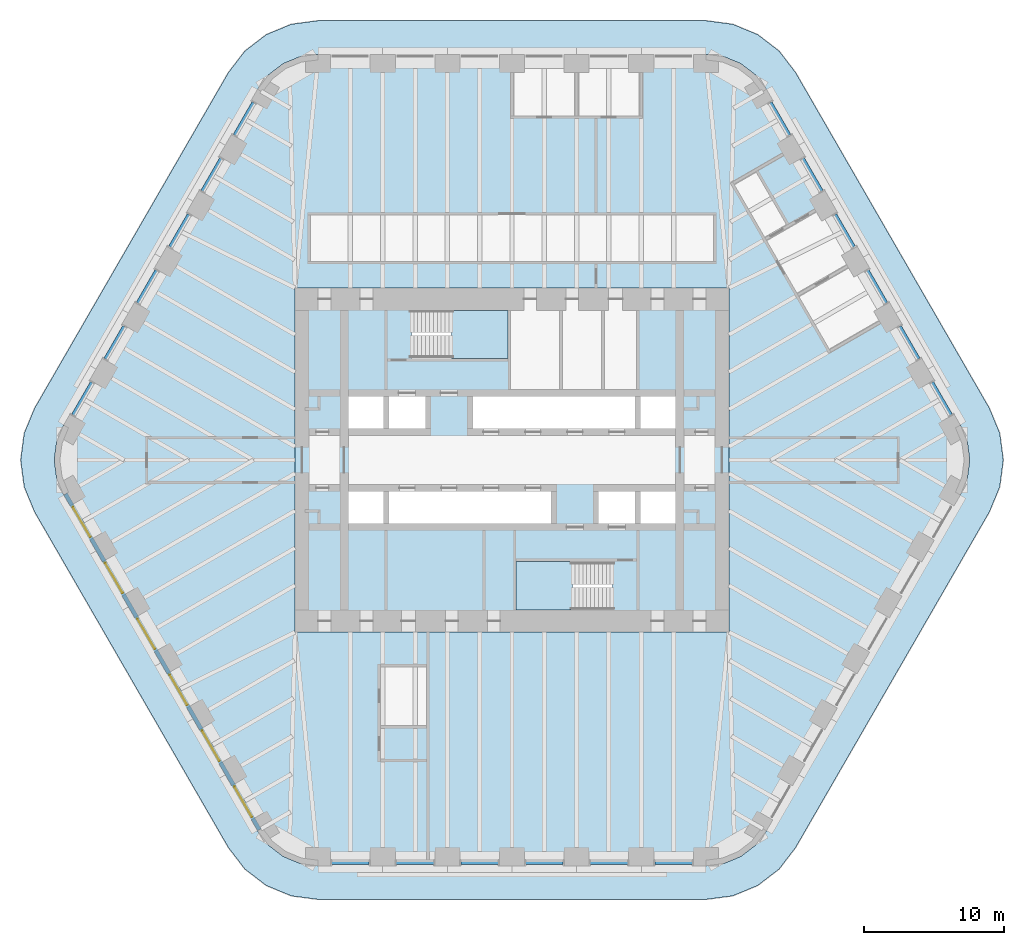
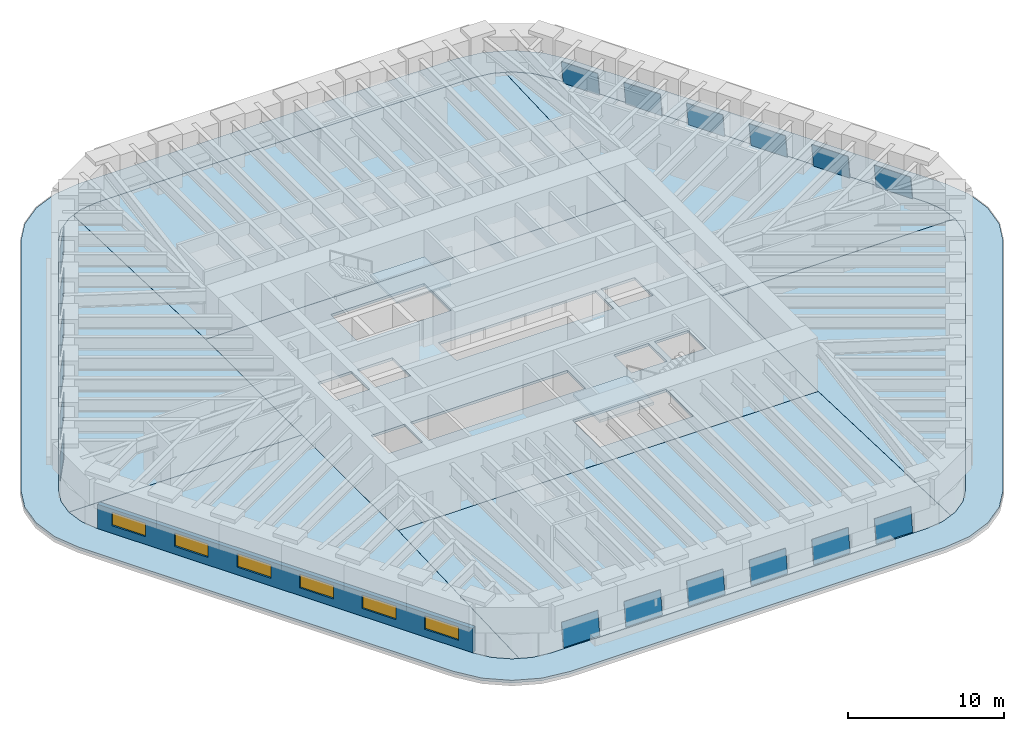
# One storey, part 6 of 12: 18 plates, 10 slabs, 6 windows, 1 wall, 6 openings, 20 elements without a shape of their own.
"""IFC4 building model written with IfcOpenShell, lengths in metres."""

from ifc_helpers import new_model, si_unit, direction, frame, frame_2d, origin, place, context, subcontext, project, spatial, polyline, rectangle, outline, extrude, material, layer, layer_set, type_object, element, fill, aggregate, save


model = new_model("IFC4")

# Units and contexts
model_context = context("Model", 3, precision=1e-05, world=origin(), true_north=direction((0.0, 1.0)))
body_context = subcontext(model_context, "Body", "Model", "MODEL_VIEW")
ifc_project = project(units=[si_unit("LENGTHUNIT", "METRE"), si_unit("AREAUNIT", "SQUARE_METRE"), si_unit("VOLUMEUNIT", "CUBIC_METRE"), si_unit("PLANEANGLEUNIT", "RADIAN"), si_unit("MASSUNIT", "GRAM", prefix="KILO")], contexts=[model_context])

# Site, building, storey
site_placement = place(None, origin())
site = spatial("IfcSite", under=ifc_project, at=site_placement, CompositionType="ELEMENT")
building_placement = place(site_placement, origin())
building = spatial("IfcBuilding", under=site, at=building_placement, Name="Tarfa Lantern Tower", CompositionType="ELEMENT")
storey_placement = place(building_placement, frame((0.0, 0.0, 295.300048828125)))
storey = spatial("IfcBuildingStorey", under=building, at=storey_placement, Name="L67", CompositionType="ELEMENT", Elevation=295.300048828125)

# Slab
ifc_material_1 = material(Name="Concrete C40/50", Category="concrete")
ifc_layer_1 = layer(ifc_material_1, 0.199951171875)
ifc_layer_set_1 = layer_set([ifc_layer_1], Name="BS2 BALCONY SLAB 200")
slab_type_1 = type_object("IfcSlabType", Name="BS2 BALCONY SLAB 200", PredefinedType="FLOOR", material=ifc_layer_set_1)
slab_1_placement = place(storey_placement, frame((0.0, 0.0, -0.199951171875)))
element("IfcSlab", 1, at=slab_1_placement, inside=storey, type_object=slab_type_1, Name="Planted ledge L67", PredefinedType="FLOOR", context=body_context, shape_type="SweptSolid", body=[
    extrude(outline(polyline([(34.121337890625, 3.699951171875), (20.264892578125, 27.699951171875), (19.089111328125, 29.232666015625), (17.556396484375, 30.40869140625), (15.771728515625, 31.14794921875), (13.8564453125, 31.39990234375), (-13.8564453125, 31.39990234375), (-15.771728515625, 31.14794921875), (-17.556396484375, 30.40869140625), (-19.089111328125, 29.232666015625), (-20.264892578125, 27.699951171875), (-34.121337890625, 3.699951171875), (-34.860595703125, 1.915283203125), (-35.11279296875, 0.0), (-34.860595703125, -1.915283203125), (-34.121337890625, -3.699951171875), (-20.264892578125, -27.699951171875), (-19.089111328125, -29.232666015625), (-17.556396484375, -30.40869140625), (-15.771728515625, -31.14794921875), (-13.8564453125, -31.39990234375), (13.8564453125, -31.39990234375), (15.771728515625, -31.14794921875), (17.556396484375, -30.40869140625), (19.089111328125, -29.232666015625), (20.264892578125, -27.699951171875), (34.121337890625, -3.699951171875), (34.860595703125, -1.915283203125), (35.11279296875, 0.0), (34.860595703125, 1.915283203125), (34.121337890625, 3.699951171875)]), holes=[polyline([(32.04296875, 2.5), (18.1865234375, 26.5), (17.391845703125, 27.53564453125), (16.3564453125, 28.330078125), (15.150390625, 28.82958984375), (13.8564453125, 29.0), (-13.8564453125, 29.0), (-15.150390625, 28.82958984375), (-16.3564453125, 28.330078125), (-17.391845703125, 27.53564453125), (-18.1865234375, 26.5), (-32.04296875, 2.5), (-32.54248046875, 1.294189453125), (-32.712890625, 0.0), (-32.54248046875, -1.294189453125), (-32.04296875, -2.5), (-18.1865234375, -26.5), (-17.391845703125, -27.53564453125), (-16.3564453125, -28.330078125), (-15.150390625, -28.82958984375), (-13.8564453125, -29.0), (13.8564453125, -29.0), (15.150390625, -28.82958984375), (16.3564453125, -28.330078125), (17.391845703125, -27.53564453125), (18.1865234375, -26.5), (32.04296875, -2.5), (32.54248046875, -1.294189453125), (32.712890625, 0.0), (32.54248046875, 1.294189453125), (32.04296875, 2.5)])]), origin(), (0.0, 0.0, 1.0), 0.199951171875),
])

# Curtain wall, plate
ifc_material_2 = material(Name="Aluminium framed curtain wall", Category="aluminium")
curtain_wall_type = type_object("IfcCurtainWallType", Name="CW3 CANTED GLAZING HIGH ZONE 1900", PredefinedType="USERDEFINED", material=ifc_material_2)
curtain_wall_1_placement = place(storey_placement, origin())
curtain_wall_1 = element("IfcCurtainWall", 2, at=curtain_wall_1_placement, inside=storey, type_object=curtain_wall_type, Name="CW3 NE L67", ObjectType="CURTAIN WALL", PredefinedType="USERDEFINED")
ifc_material_3 = material(Name="Laminated double glazing", Category="glass")
ifc_layer_2 = layer(ifc_material_3, 0.028076171875)
ifc_layer_set_2 = layer_set([ifc_layer_2], Name="CWP1 DOUBLE GLAZED PANEL")
plate_type = type_object("IfcPlateType", Name="CWP1 DOUBLE GLAZED PANEL", PredefinedType="CURTAIN_PANEL", material=ifc_layer_set_2)
plate_1_placement = place(storey_placement, frame((31.473876953125, 3.28564453125, 0.0), z_axis=(0.858637913863, 0.49571080653, 0.130429019645), x_axis=(-0.499982405749, 0.866035561577, 5.084205e-06)))
plate_1 = element("IfcPlate", 3, at=plate_1_placement, type_object=plate_type, Name="CW3 panel 1.1", PredefinedType="CURTAIN_PANEL", context=body_context, shape_type="SweptSolid", body=[
    extrude(outline(polyline([(0.0, 0.0), (2.6888794664987756, 0.0), (2.6889286815339104, 1.8507570820691974), (0.00017128105216368685, 1.8507846586436552), (0.0, 0.0)])), origin(), (0.0, 0.0, -1.0), 0.028076171875),
])
aggregate(curtain_wall_1, [plate_1])

curtain_wall_2_placement = place(storey_placement, origin())
curtain_wall_2 = element("IfcCurtainWall", 4, at=curtain_wall_2_placement, inside=storey, type_object=curtain_wall_type, Name="CW3 NE L67", ObjectType="CURTAIN WALL", PredefinedType="USERDEFINED")
plate_2_placement = place(storey_placement, frame((29.16455078125, 7.28564453125, 0.0), z_axis=(0.85861202579, 0.495740870835, 0.130485164488), x_axis=(-0.500015875611, 0.866016237802, 0.0)))
plate_2 = element("IfcPlate", 5, at=plate_2_placement, type_object=plate_type, Name="CW3 panel 1.1", PredefinedType="CURTAIN_PANEL", context=body_context, shape_type="SweptSolid", body=[
    extrude(outline(polyline([(0.0, 0.0), (2.688879468541637, 0.0), (2.6890507536793935, 1.850784661611212), (0.00017128513775635572, 1.850784661611212), (0.0, 0.0)])), origin(), (0.0, 0.0, -1.0), 0.028076171875),
])
aggregate(curtain_wall_2, [plate_2])

curtain_wall_3_placement = place(storey_placement, origin())
curtain_wall_3 = element("IfcCurtainWall", 6, at=curtain_wall_3_placement, inside=storey, type_object=curtain_wall_type, Name="CW3 NE L67", ObjectType="CURTAIN WALL", PredefinedType="USERDEFINED")
plate_3_placement = place(storey_placement, frame((26.85498046875, 11.28564453125, 0.0), z_axis=(0.858637913863, 0.49571080653, 0.130429019645), x_axis=(-0.499981247242, 0.866036230409, -5.084435e-06)))
plate_3 = element("IfcPlate", 7, at=plate_3_placement, type_object=plate_type, Name="CW3 panel 1.1", PredefinedType="CURTAIN_PANEL", context=body_context, shape_type="SweptSolid", body=[
    extrude(outline(polyline([(0.0, 0.0), (2.6887574006231634, 5.551115123125783e-17), (2.6889096995607797, 1.8507846603030145), (3.02332034264474e-05, 1.8507570824766182), (0.0, 0.0)])), origin(), (0.0, 0.0, -1.0), 0.028076171875),
])
aggregate(curtain_wall_3, [plate_3])

curtain_wall_4_placement = place(storey_placement, origin())
curtain_wall_4 = element("IfcCurtainWall", 8, at=curtain_wall_4_placement, inside=storey, type_object=curtain_wall_type, Name="CW3 NE L67", ObjectType="CURTAIN WALL", PredefinedType="USERDEFINED")
plate_4_placement = place(storey_placement, frame((24.545654296875, 15.28564453125, 0.0), z_axis=(0.858637913863, 0.49571080653, 0.130429019645), x_axis=(-0.499982405749, 0.866035561577, 5.084205e-06)))
plate_4 = element("IfcPlate", 9, at=plate_4_placement, type_object=plate_type, Name="CW3 panel 1.1", PredefinedType="CURTAIN_PANEL", context=body_context, shape_type="SweptSolid", body=[
    extrude(outline(polyline([(0.0, 0.0), (2.6888794664987756, 0.0), (2.6889286815339104, 1.8507570820691974), (0.00017128105216368685, 1.8507846586436552), (0.0, 0.0)])), origin(), (0.0, 0.0, -1.0), 0.028076171875),
])
aggregate(curtain_wall_4, [plate_4])

curtain_wall_5_placement = place(storey_placement, origin())
curtain_wall_5 = element("IfcCurtainWall", 10, at=curtain_wall_5_placement, inside=storey, type_object=curtain_wall_type, Name="CW3 NE L67", ObjectType="CURTAIN WALL", PredefinedType="USERDEFINED")
plate_5_placement = place(storey_placement, frame((22.236328125, 19.28564453125, 0.0), z_axis=(0.85861202579, 0.495740870835, 0.130485164488), x_axis=(-0.500015875611, 0.866016237802, 0.0)))
plate_5 = element("IfcPlate", 11, at=plate_5_placement, type_object=plate_type, Name="CW3 panel 1.1", PredefinedType="CURTAIN_PANEL", context=body_context, shape_type="SweptSolid", body=[
    extrude(outline(polyline([(0.0, 0.0), (2.688879468541637, 0.0), (2.6890507536793935, 1.850784661611212), (0.00017128513775635572, 1.850784661611212), (0.0, 0.0)])), origin(), (0.0, 0.0, -1.0), 0.028076171875),
])
aggregate(curtain_wall_5, [plate_5])

curtain_wall_6_placement = place(storey_placement, origin())
curtain_wall_6 = element("IfcCurtainWall", 12, at=curtain_wall_6_placement, inside=storey, type_object=curtain_wall_type, Name="CW3 NE L67", ObjectType="CURTAIN WALL", PredefinedType="USERDEFINED")
plate_6_placement = place(storey_placement, frame((19.9267578125, 23.28564453125, 0.0), z_axis=(0.858637913863, 0.49571080653, 0.130429019645), x_axis=(-0.499981247242, 0.866036230409, -5.084435e-06)))
plate_6 = element("IfcPlate", 13, at=plate_6_placement, type_object=plate_type, Name="CW3 panel 1.1", PredefinedType="CURTAIN_PANEL", context=body_context, shape_type="SweptSolid", body=[
    extrude(outline(polyline([(0.0, 0.0), (2.6887574006231634, 5.551115123125783e-17), (2.6889096995607797, 1.8507846603030145), (3.02332034264474e-05, 1.8507570824766182), (0.0, 0.0)])), origin(), (0.0, 0.0, -1.0), 0.028076171875),
])
aggregate(curtain_wall_6, [plate_6])

curtain_wall_7_placement = place(storey_placement, origin())
curtain_wall_7 = element("IfcCurtainWall", 14, at=curtain_wall_7_placement, inside=storey, type_object=curtain_wall_type, Name="CW3 NW L67", ObjectType="CURTAIN WALL", PredefinedType="USERDEFINED")
plate_7_placement = place(storey_placement, frame((-18.58251953125, 25.6142578125, 0.0), z_axis=(-0.858637913863, 0.49571080653, 0.130429019645), x_axis=(-0.499981247242, -0.866036230409, 5.084435e-06)))
plate_7 = element("IfcPlate", 15, at=plate_7_placement, type_object=plate_type, Name="CW3 panel 1.1", PredefinedType="CURTAIN_PANEL", context=body_context, shape_type="SweptSolid", body=[
    extrude(outline(polyline([(0.0, 0.0), (2.6887574006231634, -5.551115123125783e-17), (2.688727167419737, 1.8507570824766182), (-0.000152298937616383, 1.8507846603030145), (0.0, 0.0)])), origin(), (0.0, 0.0, -1.0), 0.028076171875),
])
aggregate(curtain_wall_7, [plate_7])

curtain_wall_8_placement = place(storey_placement, origin())
curtain_wall_8 = element("IfcCurtainWall", 16, at=curtain_wall_8_placement, inside=storey, type_object=curtain_wall_type, Name="CW3 NW L67", ObjectType="CURTAIN WALL", PredefinedType="USERDEFINED")
plate_8_placement = place(storey_placement, frame((-20.891845703125, 21.6142578125, 0.0), z_axis=(-0.85861202579, 0.495740870835, 0.130485164488), x_axis=(-0.500015875611, -0.866016237802, 0.0)))
plate_8 = element("IfcPlate", 17, at=plate_8_placement, type_object=plate_type, Name="CW3 panel 1.1", PredefinedType="CURTAIN_PANEL", context=body_context, shape_type="SweptSolid", body=[
    extrude(outline(polyline([(0.0, 0.0), (2.688879468541637, 0.0), (2.6887081834038806, 1.850784661611212), (-0.00017128513775635572, 1.850784661611212), (0.0, 0.0)])), origin(), (0.0, 0.0, -1.0), 0.028076171875),
])
aggregate(curtain_wall_8, [plate_8])

curtain_wall_9_placement = place(storey_placement, origin())
curtain_wall_9 = element("IfcCurtainWall", 18, at=curtain_wall_9_placement, inside=storey, type_object=curtain_wall_type, Name="CW3 NW L67", ObjectType="CURTAIN WALL", PredefinedType="USERDEFINED")
plate_9_placement = place(storey_placement, frame((-23.201171875, 17.6142578125, 0.0), z_axis=(-0.858637913863, 0.49571080653, 0.130429019645), x_axis=(-0.499982405749, -0.866035561577, -5.084205e-06)))
plate_9 = element("IfcPlate", 19, at=plate_9_placement, type_object=plate_type, Name="CW3 panel 1.1", PredefinedType="CURTAIN_PANEL", context=body_context, shape_type="SweptSolid", body=[
    extrude(outline(polyline([(0.0, 0.0), (2.6888794664987756, 0.0), (2.6887081854466124, 1.8507846586436552), (-4.921503513502659e-05, 1.8507570820691974), (0.0, 0.0)])), origin(), (0.0, 0.0, -1.0), 0.028076171875),
])
aggregate(curtain_wall_9, [plate_9])

curtain_wall_10_placement = place(storey_placement, origin())
curtain_wall_10 = element("IfcCurtainWall", 20, at=curtain_wall_10_placement, inside=storey, type_object=curtain_wall_type, Name="CW3 NW L67", ObjectType="CURTAIN WALL", PredefinedType="USERDEFINED")
plate_10_placement = place(storey_placement, frame((-25.5107421875, 13.6142578125, 0.0), z_axis=(-0.858637913863, 0.49571080653, 0.130429019645), x_axis=(-0.499981247242, -0.866036230409, 5.084435e-06)))
plate_10 = element("IfcPlate", 21, at=plate_10_placement, type_object=plate_type, Name="CW3 panel 1.1", PredefinedType="CURTAIN_PANEL", context=body_context, shape_type="SweptSolid", body=[
    extrude(outline(polyline([(0.0, 0.0), (2.6887574006231634, -5.551115123125783e-17), (2.688727167419737, 1.8507570824766182), (-0.000152298937616383, 1.8507846603030145), (0.0, 0.0)])), origin(), (0.0, 0.0, -1.0), 0.028076171875),
])
aggregate(curtain_wall_10, [plate_10])

curtain_wall_11_placement = place(storey_placement, origin())
curtain_wall_11 = element("IfcCurtainWall", 22, at=curtain_wall_11_placement, inside=storey, type_object=curtain_wall_type, Name="CW3 NW L67", ObjectType="CURTAIN WALL", PredefinedType="USERDEFINED")
plate_11_placement = place(storey_placement, frame((-27.820068359375, 9.6142578125, 0.0), z_axis=(-0.85861202579, 0.495740870835, 0.130485164488), x_axis=(-0.500015875611, -0.866016237802, 0.0)))
plate_11 = element("IfcPlate", 23, at=plate_11_placement, type_object=plate_type, Name="CW3 panel 1.1", PredefinedType="CURTAIN_PANEL", context=body_context, shape_type="SweptSolid", body=[
    extrude(outline(polyline([(0.0, 0.0), (2.688879468541637, 0.0), (2.6887081834038806, 1.850784661611212), (-0.00017128513775635572, 1.850784661611212), (0.0, 0.0)])), origin(), (0.0, 0.0, -1.0), 0.028076171875),
])
aggregate(curtain_wall_11, [plate_11])

curtain_wall_12_placement = place(storey_placement, origin())
curtain_wall_12 = element("IfcCurtainWall", 24, at=curtain_wall_12_placement, inside=storey, type_object=curtain_wall_type, Name="CW3 NW L67", ObjectType="CURTAIN WALL", PredefinedType="USERDEFINED")
plate_12_placement = place(storey_placement, frame((-30.12939453125, 5.6142578125, 0.0), z_axis=(-0.858637913863, 0.49571080653, 0.130429019645), x_axis=(-0.499982405749, -0.866035561577, -5.084205e-06)))
plate_12 = element("IfcPlate", 25, at=plate_12_placement, type_object=plate_type, Name="CW3 panel 1.1", PredefinedType="CURTAIN_PANEL", context=body_context, shape_type="SweptSolid", body=[
    extrude(outline(polyline([(0.0, 0.0), (2.6888794664987756, 0.0), (2.6887081854466124, 1.8507846586436552), (-4.921503513502659e-05, 1.8507570820691974), (0.0, 0.0)])), origin(), (0.0, 0.0, -1.0), 0.028076171875),
])
aggregate(curtain_wall_12, [plate_12])

curtain_wall_13_placement = place(storey_placement, origin())
curtain_wall_13 = element("IfcCurtainWall", 26, at=curtain_wall_13_placement, inside=storey, type_object=curtain_wall_type, Name="CW3 S L67", ObjectType="CURTAIN WALL", PredefinedType="USERDEFINED")
plate_13_placement = place(storey_placement, frame((-12.891357421875, -28.89990234375, 0.0), z_axis=(0.0, -0.991453397545, 0.13046133717), x_axis=(1.0, 0.0, 0.0)))
plate_13 = element("IfcPlate", 27, at=plate_13_placement, type_object=plate_type, Name="CW3 panel 1.1", PredefinedType="CURTAIN_PANEL", context=body_context, shape_type="SweptSolid", body=[
    extrude(outline(polyline([(0.0, 0.0), (2.688720703125, 0.0), (2.688720703125, 1.8507788082056778), (0.0, 1.8507788082056778), (0.0, 0.0)])), origin(), (0.0, 0.0, -1.0), 0.028076171875),
])
aggregate(curtain_wall_13, [plate_13])

curtain_wall_14_placement = place(storey_placement, origin())
curtain_wall_14 = element("IfcCurtainWall", 28, at=curtain_wall_14_placement, inside=storey, type_object=curtain_wall_type, Name="CW3 S L67", ObjectType="CURTAIN WALL", PredefinedType="USERDEFINED")
plate_14_placement = place(storey_placement, frame((-8.272705078125, -28.89990234375, 0.0), z_axis=(0.0, -0.991453397545, 0.13046133717), x_axis=(1.0, 0.0, 0.0)))
plate_14 = element("IfcPlate", 29, at=plate_14_placement, type_object=plate_type, Name="CW3 panel 1.1", PredefinedType="CURTAIN_PANEL", context=body_context, shape_type="SweptSolid", body=[
    extrude(outline(polyline([(0.0, 0.0), (2.68896484375, 0.0), (2.68896484375, 1.8507788082056778), (0.0, 1.8507788082056778), (0.0, 0.0)])), origin(), (0.0, 0.0, -1.0), 0.028076171875),
])
aggregate(curtain_wall_14, [plate_14])

curtain_wall_15_placement = place(storey_placement, origin())
curtain_wall_15 = element("IfcCurtainWall", 30, at=curtain_wall_15_placement, inside=storey, type_object=curtain_wall_type, Name="CW3 S L67", ObjectType="CURTAIN WALL", PredefinedType="USERDEFINED")
plate_15_placement = place(storey_placement, frame((-3.65380859375, -28.89990234375, 0.0), z_axis=(0.0, -0.991453397545, 0.13046133717), x_axis=(1.0, 0.0, 0.0)))
plate_15 = element("IfcPlate", 31, at=plate_15_placement, type_object=plate_type, Name="CW3 panel 1.1", PredefinedType="CURTAIN_PANEL", context=body_context, shape_type="SweptSolid", body=[
    extrude(outline(polyline([(0.0, 0.0), (2.688720703125, 0.0), (2.688720703125, 1.8507788082056778), (0.0, 1.8507788082056778), (0.0, 0.0)])), origin(), (0.0, 0.0, -1.0), 0.028076171875),
])
aggregate(curtain_wall_15, [plate_15])

curtain_wall_16_placement = place(storey_placement, origin())
curtain_wall_16 = element("IfcCurtainWall", 32, at=curtain_wall_16_placement, inside=storey, type_object=curtain_wall_type, Name="CW3 S L67", ObjectType="CURTAIN WALL", PredefinedType="USERDEFINED")
plate_16_placement = place(storey_placement, frame((0.965087890625, -28.89990234375, 0.0), z_axis=(0.0, -0.991453397545, 0.13046133717), x_axis=(1.0, 0.0, 0.0)))
plate_16 = element("IfcPlate", 33, at=plate_16_placement, type_object=plate_type, Name="CW3 panel 1.1", PredefinedType="CURTAIN_PANEL", context=body_context, shape_type="SweptSolid", body=[
    extrude(outline(polyline([(0.0, 0.0), (2.688720703125, 0.0), (2.688720703125, 1.8507788082056778), (0.0, 1.8507788082056778), (0.0, 0.0)])), origin(), (0.0, 0.0, -1.0), 0.028076171875),
])
aggregate(curtain_wall_16, [plate_16])

curtain_wall_17_placement = place(storey_placement, origin())
curtain_wall_17 = element("IfcCurtainWall", 34, at=curtain_wall_17_placement, inside=storey, type_object=curtain_wall_type, Name="CW3 S L67", ObjectType="CURTAIN WALL", PredefinedType="USERDEFINED")
plate_17_placement = place(storey_placement, frame((5.583740234375, -28.89990234375, 0.0), z_axis=(0.0, -0.991453397545, 0.13046133717), x_axis=(1.0, 0.0, 0.0)))
plate_17 = element("IfcPlate", 35, at=plate_17_placement, type_object=plate_type, Name="CW3 panel 1.1", PredefinedType="CURTAIN_PANEL", context=body_context, shape_type="SweptSolid", body=[
    extrude(outline(polyline([(0.0, 0.0), (2.68896484375, 0.0), (2.68896484375, 1.8507788082056778), (0.0, 1.8507788082056778), (0.0, 0.0)])), origin(), (0.0, 0.0, -1.0), 0.028076171875),
])
aggregate(curtain_wall_17, [plate_17])

curtain_wall_18_placement = place(storey_placement, origin())
curtain_wall_18 = element("IfcCurtainWall", 36, at=curtain_wall_18_placement, inside=storey, type_object=curtain_wall_type, Name="CW3 S L67", ObjectType="CURTAIN WALL", PredefinedType="USERDEFINED")
plate_18_placement = place(storey_placement, frame((10.20263671875, -28.89990234375, 0.0), z_axis=(0.0, -0.991453397545, 0.13046133717), x_axis=(1.0, 0.0, 0.0)))
plate_18 = element("IfcPlate", 37, at=plate_18_placement, type_object=plate_type, Name="CW3 panel 1.1", PredefinedType="CURTAIN_PANEL", context=body_context, shape_type="SweptSolid", body=[
    extrude(outline(polyline([(0.0, 0.0), (2.688720703125, 0.0), (2.688720703125, 1.8507788082056778), (0.0, 1.8507788082056778), (0.0, 0.0)])), origin(), (0.0, 0.0, -1.0), 0.028076171875),
])
aggregate(curtain_wall_18, [plate_18])

# Slabs
ifc_layer_3 = layer(ifc_material_1, 0.199951171875)
ifc_layer_set_3 = layer_set([ifc_layer_3], Name="FS1 FLOOR SLAB 200")
slab_type_2 = type_object("IfcSlabType", Name="FS1 FLOOR SLAB 200", PredefinedType="FLOOR", material=ifc_layer_set_3)
slab_2_placement = place(storey_placement, frame((0.0, 0.0, -0.199951171875)))
element("IfcSlab", 38, at=slab_2_placement, inside=storey, type_object=slab_type_2, Name="Floor slab L67", PredefinedType="FLOOR", context=body_context, shape_type="SweptSolid", body=[
    extrude(outline(polyline([(-15.5, -12.300048828125), (15.5, -12.300048828125), (15.5, 12.300048828125), (-15.5, 12.300048828125), (-15.5, -12.300048828125)]), holes=[polyline([(-11.699951171875, 2.25), (-9.199951171875, 2.25), (-9.199951171875, 4.550048828125), (-11.699951171875, 4.550048828125), (-11.699951171875, 2.25)]), polyline([(-8.800048828125, 2.25), (-6.199951171875, 2.25), (-6.199951171875, 4.550048828125), (-8.800048828125, 4.550048828125), (-8.800048828125, 2.25)]), polyline([(-2.800048828125, 2.25), (8.800048828125, 2.25), (8.800048828125, 4.550048828125), (-2.800048828125, 4.550048828125), (-2.800048828125, 2.25)]), polyline([(9.199951171875, 2.25), (11.699951171875, 2.25), (11.699951171875, 4.550048828125), (9.199951171875, 4.550048828125), (9.199951171875, 2.25)]), polyline([(11.699951171875, -2.25), (9.199951171875, -2.25), (9.199951171875, -4.550048828125), (11.699951171875, -4.550048828125), (11.699951171875, -2.25)]), polyline([(8.800048828125, -2.25), (6.199951171875, -2.25), (6.199951171875, -4.550048828125), (8.800048828125, -4.550048828125), (8.800048828125, -2.25)]), polyline([(2.800048828125, -2.25), (-8.800048828125, -2.25), (-8.800048828125, -4.550048828125), (2.800048828125, -4.550048828125), (2.800048828125, -2.25)]), polyline([(-9.199951171875, -2.25), (-11.699951171875, -2.25), (-11.699951171875, -4.550048828125), (-9.199951171875, -4.550048828125), (-9.199951171875, -2.25)]), polyline([(-7.199951171875, 7.25), (-0.300048828125, 7.25), (-0.300048828125, 10.699951171875), (-7.199951171875, 10.699951171875), (-7.199951171875, 7.25)]), polyline([(7.199951171875, -7.25), (0.300048828125, -7.25), (0.300048828125, -10.699951171875), (7.199951171875, -10.699951171875), (7.199951171875, -7.25)])]), origin(), (0.0, 0.0, 1.0), 0.199951171875),
])
slab_3_placement = place(storey_placement, frame((0.0, 0.0, -0.199951171875)))
element("IfcSlab", 39, at=slab_3_placement, inside=storey, type_object=slab_type_2, Name="Floor slab L67 NE bay", PredefinedType="FLOOR", context=body_context, shape_type="SweptSolid", body=[
    extrude(outline(polyline([(32.041259765625, 2.4990234375), (18.184814453125, 26.498779296875), (17.390625, 27.5341796875), (16.35546875, 28.328369140625), (15.927490234375, 28.505615234375), (15.501953125, 12.300048828125), (15.501953125, 0.001953125), (32.71044921875, 0.001953125), (32.54052734375, 1.29345703125), (32.041259765625, 2.4990234375)])), origin(), (0.0, 0.0, 1.0), 0.199951171875),
])
slab_4_placement = place(storey_placement, frame((0.0, 0.0, -0.199951171875)))
element("IfcSlab", 40, at=slab_4_placement, inside=storey, type_object=slab_type_2, Name="Floor slab L67 N bay", PredefinedType="FLOOR", context=body_context, shape_type="SweptSolid", body=[
    extrude(outline(polyline([(-15.498046875, 12.302001953125), (15.498046875, 12.302001953125), (15.923583984375, 28.50732421875), (15.14990234375, 28.82763671875), (13.856201171875, 28.998046875), (-13.856201171875, 28.998046875), (-15.14990234375, 28.82763671875), (-15.923583984375, 28.50732421875), (-15.498046875, 12.302001953125)])), origin(), (0.0, 0.0, 1.0), 0.199951171875),
])
slab_5_placement = place(storey_placement, frame((0.0, 0.0, -0.199951171875)))
element("IfcSlab", 41, at=slab_5_placement, inside=storey, type_object=slab_type_2, Name="Floor slab L67 NW bay", PredefinedType="FLOOR", context=body_context, shape_type="SweptSolid", body=[
    extrude(outline(polyline([(-15.501953125, 0.001953125), (-15.501953125, 12.300048828125), (-15.927490234375, 28.505615234375), (-16.35546875, 28.328369140625), (-17.390625, 27.5341796875), (-18.184814453125, 26.498779296875), (-32.041259765625, 2.4990234375), (-32.54052734375, 1.29345703125), (-32.71044921875, 0.001953125), (-15.501953125, 0.001953125)])), origin(), (0.0, 0.0, 1.0), 0.199951171875),
])
slab_6_placement = place(storey_placement, frame((0.0, 0.0, -0.199951171875)))
element("IfcSlab", 42, at=slab_6_placement, inside=storey, type_object=slab_type_2, Name="Floor slab L67 SW bay", PredefinedType="FLOOR", context=body_context, shape_type="SweptSolid", body=[
    extrude(outline(polyline([(-15.501953125, -12.300048828125), (-15.501953125, -0.001953125), (-32.71044921875, -0.001953125), (-32.54052734375, -1.29345703125), (-32.041259765625, -2.4990234375), (-18.184814453125, -26.498779296875), (-17.390625, -27.5341796875), (-16.35546875, -28.328369140625), (-15.927490234375, -28.505615234375), (-15.501953125, -12.300048828125)])), origin(), (0.0, 0.0, 1.0), 0.199951171875),
])
slab_7_placement = place(storey_placement, frame((0.0, 0.0, -0.199951171875)))
element("IfcSlab", 43, at=slab_7_placement, inside=storey, type_object=slab_type_2, Name="Floor slab L67 S bay", PredefinedType="FLOOR", context=body_context, shape_type="SweptSolid", body=[
    extrude(outline(polyline([(15.498046875, -12.302001953125), (-15.498046875, -12.302001953125), (-15.923583984375, -28.50732421875), (-15.14990234375, -28.82763671875), (-13.856201171875, -28.998046875), (13.856201171875, -28.998046875), (15.14990234375, -28.82763671875), (15.923583984375, -28.50732421875), (15.498046875, -12.302001953125)])), origin(), (0.0, 0.0, 1.0), 0.199951171875),
])
slab_8_placement = place(storey_placement, frame((0.0, 0.0, -0.199951171875)))
element("IfcSlab", 44, at=slab_8_placement, inside=storey, type_object=slab_type_2, Name="Floor slab L67 SE bay", PredefinedType="FLOOR", context=body_context, shape_type="SweptSolid", body=[
    extrude(outline(polyline([(15.501953125, -0.001953125), (15.501953125, -12.300048828125), (15.927490234375, -28.505615234375), (16.35546875, -28.328369140625), (17.390625, -27.5341796875), (18.184814453125, -26.498779296875), (32.041259765625, -2.4990234375), (32.54052734375, -1.29345703125), (32.71044921875, -0.001953125), (15.501953125, -0.001953125)])), origin(), (0.0, 0.0, 1.0), 0.199951171875),
])

# Stair, slab
stair_type = type_object("IfcStairType", Name="ST-T10 HALF-TURN STAIR 4200 RISE", PredefinedType="HALF_TURN_STAIR", material=ifc_material_1)
stair_1_placement = place(storey_placement, origin())
stair_1 = element("IfcStair", 45, at=stair_1_placement, inside=storey, type_object=stair_type, Name="Stair ST1", PredefinedType="HALF_TURN_STAIR")
ifc_layer_4 = layer(ifc_material_1, 0.199951171875)
ifc_layer_set_4 = layer_set([ifc_layer_4], Name="SL1 STAIR LANDING 200")
slab_type_3 = type_object("IfcSlabType", Name="SL1 STAIR LANDING 200", PredefinedType="LANDING", material=ifc_layer_set_4)
slab_9_placement = place(storey_placement, frame((0.0, 0.0, 1.89990234375)))
slab_9 = element("IfcSlab", 46, at=slab_9_placement, type_object=slab_type_3, Name="ST1 landing 1", PredefinedType="LANDING", context=body_context, shape_type="SweptSolid", body=[
    extrude(outline(polyline([(-4.320068359375, 7.25), (-0.300048828125, 7.25), (-0.300048828125, 10.699951171875), (-4.320068359375, 10.699951171875), (-4.320068359375, 7.25)])), origin(), (0.0, 0.0, 1.0), 0.199951171875),
])
aggregate(stair_1, [slab_9])

stair_2_placement = place(storey_placement, origin())
stair_2 = element("IfcStair", 47, at=stair_2_placement, inside=storey, type_object=stair_type, Name="Stair ST2", PredefinedType="HALF_TURN_STAIR")
slab_10_placement = place(storey_placement, frame((0.0, 0.0, 1.89990234375)))
slab_10 = element("IfcSlab", 48, at=slab_10_placement, type_object=slab_type_3, Name="ST2 landing 1", PredefinedType="LANDING", context=body_context, shape_type="SweptSolid", body=[
    extrude(outline(polyline([(4.320068359375, -7.25), (0.300048828125, -7.25), (0.300048828125, -10.699951171875), (4.320068359375, -10.699951171875), (4.320068359375, -7.25)])), origin(), (0.0, 0.0, 1.0), 0.199951171875),
])
aggregate(stair_2, [slab_10])

# Wall, openings, windows
ifc_material_4 = material(Name="Limestone cladding on blockwork", Category="masonry")
ifc_layer_5 = layer(ifc_material_4, 0.300048828125)
ifc_layer_set_5 = layer_set([ifc_layer_5], Name="EW1 STONE-CLAD WALL 300")
wall_type = type_object("IfcWallType", Name="EW1 STONE-CLAD WALL 300", PredefinedType="SOLIDWALL", material=ifc_layer_set_5)
wall_placement = place(storey_placement, frame((-31.9130859375, -2.425048828125, 0.0), z_axis=(0.0, 0.0, 1.0), x_axis=(0.500001051461, -0.866024796723, 0.0)))
wall = element("IfcWall", 49, at=wall_placement, inside=storey, type_object=wall_type, Name="Stone wall SW", PredefinedType="SOLIDWALL", context=body_context, shape_type="SweptSolid", body=[
    extrude(rectangle(XDim=27.712890625, YDim=0.300048828125, at=frame_2d((13.8564453125, 0.0))), origin(), (0.0, 0.0, 1.0), 1.89990234375),
])
opening_1_placement = place(wall_placement, frame((1.059326171875, 0.0, 0.60009765625)))
opening_1 = element("IfcOpeningElement", 50, at=opening_1_placement, cuts=wall, Name="Opening W15", PredefinedType="OPENING", context=body_context, shape_type="SweptSolid", body=[
    extrude(rectangle(XDim=2.5, YDim=1.050048828125, at=frame_2d((1.25, 0.52490234375))), frame((0.0, 0.159912109375, 0.0), z_axis=(0.0, -1.0, 0.0), x_axis=(1.0, 0.0, 0.0)), (0.0, 0.0, 1.0), 0.320068359375),
])
opening_2_placement = place(wall_placement, frame((5.67822265625, 0.0, 0.60009765625)))
opening_2 = element("IfcOpeningElement", 51, at=opening_2_placement, cuts=wall, Name="Opening W15", PredefinedType="OPENING", context=body_context, shape_type="SweptSolid", body=[
    extrude(rectangle(XDim=2.5, YDim=1.050048828125, at=frame_2d((1.25, 0.52490234375))), frame((0.0, 0.159912109375, 0.0), z_axis=(0.0, -1.0, 0.0), x_axis=(1.0, 0.0, 0.0)), (0.0, 0.0, 1.0), 0.320068359375),
])
opening_3_placement = place(wall_placement, frame((10.297119140625, 0.0, 0.60009765625)))
opening_3 = element("IfcOpeningElement", 52, at=opening_3_placement, cuts=wall, Name="Opening W15", PredefinedType="OPENING", context=body_context, shape_type="SweptSolid", body=[
    extrude(rectangle(XDim=2.5, YDim=1.050048828125, at=frame_2d((1.25, 0.52490234375))), frame((0.0, 0.159912109375, 0.0), z_axis=(0.0, -1.0, 0.0), x_axis=(1.0, 0.0, 0.0)), (0.0, 0.0, 1.0), 0.320068359375),
])
opening_4_placement = place(wall_placement, frame((14.915771484375, 0.0, 0.60009765625)))
opening_4 = element("IfcOpeningElement", 53, at=opening_4_placement, cuts=wall, Name="Opening W15", PredefinedType="OPENING", context=body_context, shape_type="SweptSolid", body=[
    extrude(rectangle(XDim=2.5, YDim=1.050048828125, at=frame_2d((1.25, 0.52490234375))), frame((0.0, 0.159912109375, 0.0), z_axis=(0.0, -1.0, 0.0), x_axis=(1.0, 0.0, 0.0)), (0.0, 0.0, 1.0), 0.320068359375),
])
opening_5_placement = place(wall_placement, frame((19.53466796875, 0.0, 0.60009765625)))
opening_5 = element("IfcOpeningElement", 54, at=opening_5_placement, cuts=wall, Name="Opening W15", PredefinedType="OPENING", context=body_context, shape_type="SweptSolid", body=[
    extrude(rectangle(XDim=2.5, YDim=1.050048828125, at=frame_2d((1.25, 0.52490234375))), frame((0.0, 0.159912109375, 0.0), z_axis=(0.0, -1.0, 0.0), x_axis=(1.0, 0.0, 0.0)), (0.0, 0.0, 1.0), 0.320068359375),
])
opening_6_placement = place(wall_placement, frame((24.1533203125, 0.0, 0.60009765625)))
opening_6 = element("IfcOpeningElement", 55, at=opening_6_placement, cuts=wall, Name="Opening W15", PredefinedType="OPENING", context=body_context, shape_type="SweptSolid", body=[
    extrude(rectangle(XDim=2.5, YDim=1.050048828125, at=frame_2d((1.25, 0.52490234375))), frame((0.0, 0.159912109375, 0.0), z_axis=(0.0, -1.0, 0.0), x_axis=(1.0, 0.0, 0.0)), (0.0, 0.0, 1.0), 0.320068359375),
])
ifc_material_5 = material(Name="Aluminium frame, double glazed", Category="aluminium")
window_type = type_object("IfcWindowType", Name="W15 FULL-HEIGHT GLAZING 2500x1050", PartitioningType="SINGLE_PANEL", PredefinedType="WINDOW", material=ifc_material_5)
window_1_placement = place(opening_1_placement, origin())
window_1 = element("IfcWindow", 56, at=window_1_placement, inside=storey, type_object=window_type, Name="Window SW 1", OverallHeight=1.050048828125, OverallWidth=2.5, PartitioningType="SINGLE_PANEL", PredefinedType="WINDOW", context=body_context, shape_type="SweptSolid", body=[
    extrude(rectangle(XDim=2.5, YDim=1.050048828125, at=frame_2d((1.25, 0.52490234375))), frame((0.0, 0.030029296875, 0.0), z_axis=(0.0, -1.0, 0.0), x_axis=(1.0, 0.0, 0.0)), (0.0, 0.0, 1.0), 0.06005859375),
])
fill(opening_1, window_1)
window_2_placement = place(opening_2_placement, origin())
window_2 = element("IfcWindow", 57, at=window_2_placement, inside=storey, type_object=window_type, Name="Window SW 2", OverallHeight=1.050048828125, OverallWidth=2.5, PartitioningType="SINGLE_PANEL", PredefinedType="WINDOW", context=body_context, shape_type="SweptSolid", body=[
    extrude(rectangle(XDim=2.5, YDim=1.050048828125, at=frame_2d((1.25, 0.52490234375))), frame((0.0, 0.030029296875, 0.0), z_axis=(0.0, -1.0, 0.0), x_axis=(1.0, 0.0, 0.0)), (0.0, 0.0, 1.0), 0.06005859375),
])
fill(opening_2, window_2)
window_3_placement = place(opening_3_placement, origin())
window_3 = element("IfcWindow", 58, at=window_3_placement, inside=storey, type_object=window_type, Name="Window SW 3", OverallHeight=1.050048828125, OverallWidth=2.5, PartitioningType="SINGLE_PANEL", PredefinedType="WINDOW", context=body_context, shape_type="SweptSolid", body=[
    extrude(rectangle(XDim=2.5, YDim=1.050048828125, at=frame_2d((1.25, 0.52490234375))), frame((0.0, 0.030029296875, 0.0), z_axis=(0.0, -1.0, 0.0), x_axis=(1.0, 0.0, 0.0)), (0.0, 0.0, 1.0), 0.06005859375),
])
fill(opening_3, window_3)
window_4_placement = place(opening_4_placement, origin())
window_4 = element("IfcWindow", 59, at=window_4_placement, inside=storey, type_object=window_type, Name="Window SW 4", OverallHeight=1.050048828125, OverallWidth=2.5, PartitioningType="SINGLE_PANEL", PredefinedType="WINDOW", context=body_context, shape_type="SweptSolid", body=[
    extrude(rectangle(XDim=2.5, YDim=1.050048828125, at=frame_2d((1.25, 0.52490234375))), frame((0.0, 0.030029296875, 0.0), z_axis=(0.0, -1.0, 0.0), x_axis=(1.0, 0.0, 0.0)), (0.0, 0.0, 1.0), 0.06005859375),
])
fill(opening_4, window_4)
window_5_placement = place(opening_5_placement, origin())
window_5 = element("IfcWindow", 60, at=window_5_placement, inside=storey, type_object=window_type, Name="Window SW 5", OverallHeight=1.050048828125, OverallWidth=2.5, PartitioningType="SINGLE_PANEL", PredefinedType="WINDOW", context=body_context, shape_type="SweptSolid", body=[
    extrude(rectangle(XDim=2.5, YDim=1.050048828125, at=frame_2d((1.25, 0.52490234375))), frame((0.0, 0.030029296875, 0.0), z_axis=(0.0, -1.0, 0.0), x_axis=(1.0, 0.0, 0.0)), (0.0, 0.0, 1.0), 0.06005859375),
])
fill(opening_5, window_5)
window_6_placement = place(opening_6_placement, origin())
window_6 = element("IfcWindow", 61, at=window_6_placement, inside=storey, type_object=window_type, Name="Window SW 6", OverallHeight=1.050048828125, OverallWidth=2.5, PartitioningType="SINGLE_PANEL", PredefinedType="WINDOW", context=body_context, shape_type="SweptSolid", body=[
    extrude(rectangle(XDim=2.5, YDim=1.050048828125, at=frame_2d((1.25, 0.52490234375))), frame((0.0, 0.030029296875, 0.0), z_axis=(0.0, -1.0, 0.0), x_axis=(1.0, 0.0, 0.0)), (0.0, 0.0, 1.0), 0.06005859375),
])
fill(opening_6, window_6)

save(model, "model.ifc")
